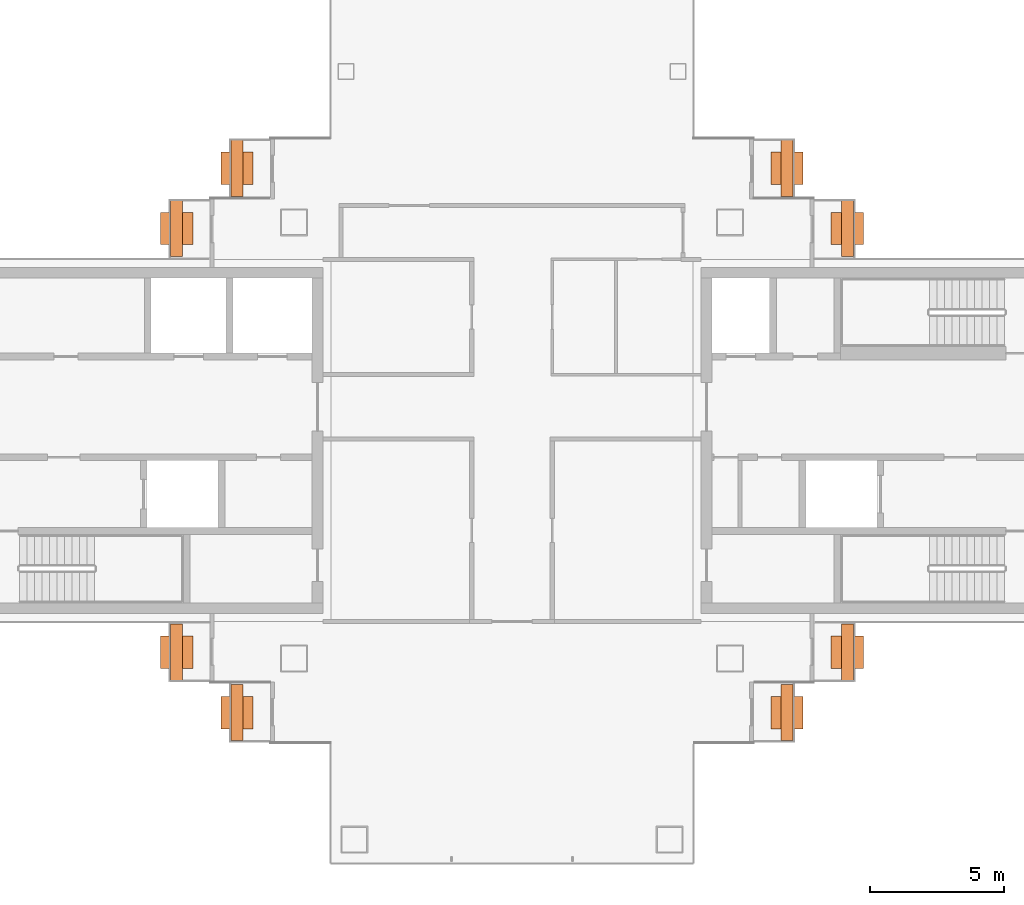
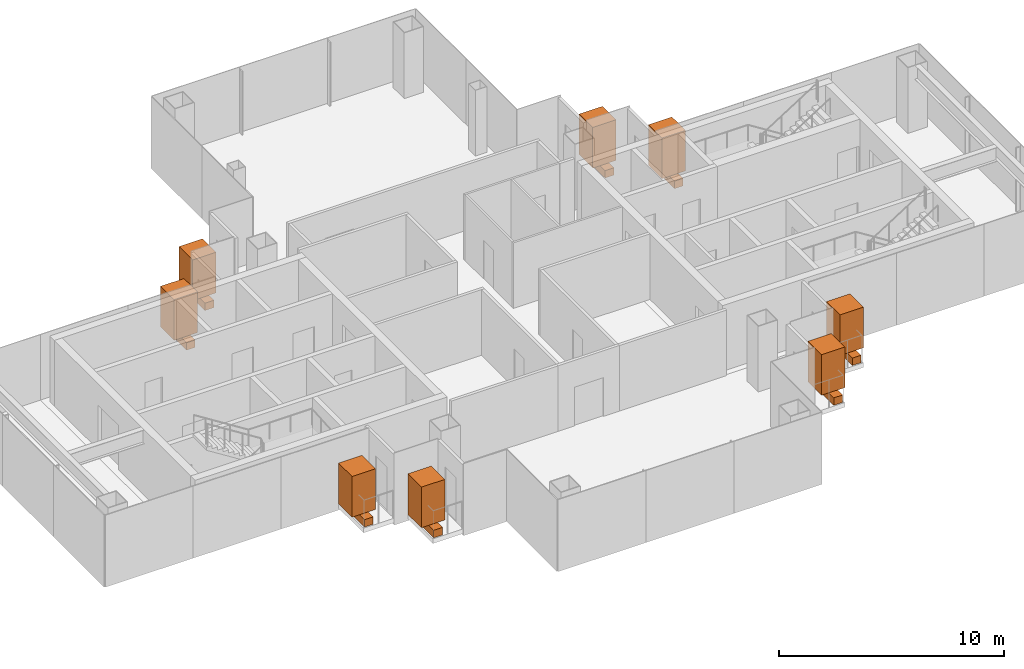
# One storey, part 16 of 16: 8 geographic elements, 8 proxies.
"""IFC4 building model written with IfcOpenShell, lengths in metres."""

import ifcopenshell
import ifcopenshell.guid

model = None  # the IFC model being written
_history = None  # IfcOwnerHistory: only IFC2X3 demands one
_inside = {}  # id of a spatial element -> (the spatial element, [elements in it])
_under = {}  # id of a project, library or spatial element -> (it, [spatial elements below it])
_declared = {}  # id of a project -> (the project, [libraries it declares])
_typed = {}  # id of a type object -> (the type object, [elements of that type])
_made_of = {}  # id of a material, layer set ... -> (it, [elements and type objects made of it])


def new_model(schema):
    """Start an empty IFC model of exactly this schema.

    Asked for "IFC4X3", IfcOpenShell would pick the latest addendum, in which some entities
    have other attributes; the version numbers below select the first issue.
    IFC2X3 requires an IfcOwnerHistory on every rooted entity: one is made here for all.
    """
    global model, _history
    if schema == "IFC4X3":
        model = ifcopenshell.file(schema_version=(4, 3, 0, 0))
    else:
        model = ifcopenshell.file(schema=schema)
    _inside.clear()
    _under.clear()
    _declared.clear()
    _typed.clear()
    _made_of.clear()
    _history = None
    if model.schema == "IFC2X3":
        org = make("IfcOrganization", Name="unknown")
        user = make(
            "IfcPersonAndOrganization",
            ThePerson=make("IfcPerson", FamilyName="unknown"),
            TheOrganization=org,
        )
        app = make(
            "IfcApplication",
            ApplicationDeveloper=org,
            Version="unknown",
            ApplicationFullName="unknown",
            ApplicationIdentifier="unknown",
        )
        _history = make(
            "IfcOwnerHistory",
            OwningUser=user,
            OwningApplication=app,
            ChangeAction="ADDED",
            CreationDate=0,
        )
    return model


def make(cls, **values):
    """One entity of the class cls with the attributes given. An attribute that is None is left unset."""
    return model.create_entity(
        cls, **{name: value for name, value in values.items() if value is not None}
    )


def rooted(cls, **values):
    """An entity with a GlobalId (a new one), such as an element, a storey or a relation."""
    return make(cls, GlobalId=ifcopenshell.guid.new(), OwnerHistory=_history, **values)


def si_unit(unit_type, name, prefix=None):
    """IfcSIUnit, for example si_unit("LENGTHUNIT", "METRE", prefix="MILLI")."""
    return make("IfcSIUnit", UnitType=unit_type, Prefix=prefix, Name=name)


def assignment(units):
    """IfcUnitAssignment: the units of a project."""
    return None if units is None else make("IfcUnitAssignment", Units=units)


def point(xyz):
    """IfcCartesianPoint."""
    return None if xyz is None else make("IfcCartesianPoint", Coordinates=xyz)


def direction(xyz):
    """IfcDirection."""
    return None if xyz is None else make("IfcDirection", DirectionRatios=xyz)


def frame(location, z_axis=None, x_axis=None):
    """IfcAxis2Placement3D, a coordinate frame: its origin and axes. An axis left out is left unset."""
    return make(
        "IfcAxis2Placement3D",
        Location=point(location),
        Axis=direction(z_axis),
        RefDirection=direction(x_axis),
    )


def frame_2d(location, x_axis=None):
    """IfcAxis2Placement2D, a coordinate frame in the plane: its origin and x axis."""
    return make(
        "IfcAxis2Placement2D", Location=point(location), RefDirection=direction(x_axis)
    )


def origin():
    """The frame at (0, 0, 0) with its axes left unset."""
    return frame((0.0, 0.0, 0.0))


def origin_2d():
    """The frame at (0, 0) in the plane with its x axis left unset."""
    return frame_2d((0.0, 0.0))


def place(relative_to, where):
    """IfcLocalPlacement: puts the frame where relative to a parent placement (None: the world)."""
    return make(
        "IfcLocalPlacement", PlacementRelTo=relative_to, RelativePlacement=where
    )


def context(
    kind, dimensions, precision=None, world=None, true_north=None, identifier=None
):
    """IfcGeometricRepresentationContext, for example the 3D "Model" context."""
    return make(
        "IfcGeometricRepresentationContext",
        ContextIdentifier=identifier,
        ContextType=kind,
        CoordinateSpaceDimension=dimensions,
        Precision=precision,
        WorldCoordinateSystem=world,
        TrueNorth=true_north,
    )


def subcontext(parent, identifier, kind, view, scale=None):
    """IfcGeometricRepresentationSubContext, for example "Body" below "Model"."""
    return make(
        "IfcGeometricRepresentationSubContext",
        ContextIdentifier=identifier,
        ContextType=kind,
        ParentContext=parent,
        TargetScale=scale,
        TargetView=view,
    )


def project(units=None, contexts=None):
    """IfcProject with its units and contexts."""
    return rooted(
        "IfcProject",
        Name="project",
        RepresentationContexts=contexts,
        UnitsInContext=assignment(units),
    )


def spatial(cls, under=None, at=None, **own):
    """A site, building, storey or space (cls), placed at a placement, below another one or the project."""
    s = rooted(cls, ObjectPlacement=at, **own)
    if under is not None:
        _under.setdefault(under.id(), (under, []))[1].append(s)
    return s


def profile(cls, at=None, kind="AREA", **sizes):
    """A parametric profile (cls). Its sizes go by their IFC names, for example OverallWidth=200.0."""
    return make(cls, ProfileType=kind, Position=at, **sizes)


def rectangle(**sizes):
    """IfcRectangleProfileDef."""
    return profile("IfcRectangleProfileDef", **sizes)


def extrude(swept, where, along, depth):
    """IfcExtrudedAreaSolid: the profile swept, set in the frame where, extruded along a direction by depth."""
    return make(
        "IfcExtrudedAreaSolid",
        SweptArea=swept,
        Position=where,
        ExtrudedDirection=direction(along),
        Depth=depth,
    )


def shape(context_of_items, identifier, shape_type, items):
    """IfcShapeRepresentation: the items that make up one representation, for example the "Body"."""
    return make(
        "IfcShapeRepresentation",
        ContextOfItems=context_of_items,
        RepresentationIdentifier=identifier,
        RepresentationType=shape_type,
        Items=items,
    )


def material(Name=None, Category=None):
    """IfcMaterial."""
    return make("IfcMaterial", Name=Name, Category=Category)


def made_of(thing, what):
    """Note that an element or type object is made of a material, layer set ...; save() writes the relation."""
    if what is not None:
        _made_of.setdefault(what.id(), (what, []))[1].append(thing)
    return thing


def type_object(cls, material=None, **own):
    """A type object (cls), such as IfcWallType, which elements share."""
    return made_of(rooted(cls, **own), material)


def element(
    cls,
    number,
    at=None,
    inside=None,
    cuts=None,
    type_object=None,
    material=None,
    context=None,
    identifier="Body",
    shape_type=None,
    held_by="IfcProductDefinitionShape",
    body=None,
    shapes=None,
    **own,
):
    """One element of the class cls, such as IfcWall. Its Tag is "e" and its number.

    at: its placement. inside: the storey or other place that contains it. cuts: it is an
    opening in that element (IfcRelVoidsElement). A single representation is given by context,
    identifier, shape_type and body (its items); several are given by shapes. held_by: the class
    of the entity that holds the representations. save() writes the other relations.
    """
    e = rooted(cls, Tag="e%d" % number, ObjectPlacement=at, **own)
    if body is not None:
        shapes = [shape(context, identifier, shape_type, body)]
    if shapes is not None:
        e.Representation = make(held_by, Representations=shapes)
    if inside is not None:
        _inside.setdefault(inside.id(), (inside, []))[1].append(e)
    if cuts is not None:
        rooted(
            "IfcRelVoidsElement", RelatingBuildingElement=cuts, RelatedOpeningElement=e
        )
    if type_object is not None:
        _typed.setdefault(type_object.id(), (type_object, []))[1].append(e)
    return made_of(e, material)


def aggregate(whole, parts):
    """IfcRelAggregates: a whole, such as a stair, and the parts it consists of."""
    return rooted("IfcRelAggregates", RelatingObject=whole, RelatedObjects=parts)


def save(model, path):
    """Write the relations noted so far, then the file.

    IfcRelAggregates (storeys below a building ...), IfcRelContainedInSpatialStructure (elements
    in a storey), IfcRelDefinesByType, IfcRelAssociatesMaterial and IfcRelDeclares: one each for
    every whole, place, type object, material and project.
    """
    for whole, parts in _under.values():
        aggregate(whole, parts)
    for where, things in _inside.values():
        rooted(
            "IfcRelContainedInSpatialStructure",
            RelatedElements=things,
            RelatingStructure=where,
        )
    for kind, things in _typed.values():
        rooted("IfcRelDefinesByType", RelatedObjects=things, RelatingType=kind)
    for what, things in _made_of.values():
        rooted("IfcRelAssociatesMaterial", RelatedObjects=things, RelatingMaterial=what)
    for by, libraries in _declared.values():
        rooted("IfcRelDeclares", RelatingContext=by, RelatedDefinitions=libraries)
    model.write(path)


model = new_model("IFC4")

# Units and contexts
model_context = context("Model", 3, precision=1e-05, world=origin(), true_north=direction((0.0, 1.0)))
body_context = subcontext(model_context, "Body", "Model", "MODEL_VIEW")
ifc_project = project(units=[si_unit("LENGTHUNIT", "METRE"), si_unit("AREAUNIT", "SQUARE_METRE"), si_unit("VOLUMEUNIT", "CUBIC_METRE"), si_unit("PLANEANGLEUNIT", "RADIAN"), si_unit("MASSUNIT", "GRAM", prefix="KILO")], contexts=[model_context])

# Site, building, storey
site_placement = place(None, origin())
site = spatial("IfcSite", under=ifc_project, at=site_placement, CompositionType="ELEMENT")
building_placement = place(site_placement, origin())
building = spatial("IfcBuilding", under=site, at=building_placement, Name="Shamsa Quay Exchange Towers", CompositionType="ELEMENT")
storey_placement = place(building_placement, frame((0.0, 0.0, 210.0)))
storey = spatial("IfcBuildingStorey", under=building, at=storey_placement, Name="L50", CompositionType="ELEMENT", Elevation=210.0)

# Proxies
ifc_material_1 = material(Name="Reinforced concrete C30/37, black glass-fibre faced", Category="concrete")
building_element_proxy_type = type_object("IfcBuildingElementProxyType", Name="BALCONY PLANTER", PredefinedType="USERDEFINED", material=ifc_material_1)
for number, where, z_axis, x_axis, name in (
    (1, (23.5048828125, 10.14404296875, 0.0), (0.0, 0.0, 1.0), (0.0, -1.0, 0.0), "PLANTER T2-PKEN L50"),
    (2, (21.2548828125, 7.89404296875, 0.0), (0.0, 0.0, 1.0), (0.0, -1.0, 0.0), "PLANTER T2-PKEN L50"),
    (3, (43.9951171875, 10.14404296875, 0.0), (0.0, 0.0, 1.0), (0.0, 1.0, 0.0), "PLANTER T2-PKES L50"),
    (4, (46.2451171875, 7.89404296875, 0.0), (0.0, 0.0, 1.0), (0.0, 1.0, 0.0), "PLANTER T2-PKES L50"),
    (5, (21.2548828125, -7.89404296875, 0.0), (0.0, 0.0, 1.0), (0.0, -1.0, 0.0), "PLANTER T2-PKWN L50"),
    (6, (23.5048828125, -10.14404296875, 0.0), (0.0, 0.0, 1.0), (0.0, -1.0, 0.0), "PLANTER T2-PKWN L50"),
    (7, (43.9951171875, -10.14404296875, 0.0), (0.0, 0.0, 1.0), (0.0, 1.0, 0.0), "PLANTER T2-PKWS L50"),
    (8, (46.2451171875, -7.89404296875, 0.0), (0.0, 0.0, 1.0), (0.0, 1.0, 0.0), "PLANTER T2-PKWS L50"),
):
    element("IfcBuildingElementProxy", number, at=place(storey_placement, frame(where, z_axis=z_axis, x_axis=x_axis)), inside=storey, type_object=building_element_proxy_type, Name=name, ObjectType="PLANTER", PredefinedType="USERDEFINED", context=body_context, shape_type="SweptSolid", body=[
        extrude(rectangle(XDim=2.092041015625, YDim=0.449951171875, at=origin_2d()), origin(), (0.0, 0.0, 1.0), 0.39990234375),
    ])

# Geographic elements
ifc_material_2 = material(Name="Planting")
geographic_element_type = type_object("IfcGeographicElementType", Name="BALCONY TREE", PredefinedType="USERDEFINED", material=ifc_material_2)
for number, where, z_axis, x_axis, name in (
    (9, (23.5048828125, 10.14404296875, 0.39990234375), (0.0, 0.0, 1.0), (0.0, -1.0, 0.0), "TREE T2-PKEN L50"),
    (10, (21.2548828125, 7.89404296875, 0.39990234375), (0.0, 0.0, 1.0), (0.0, -1.0, 0.0), "TREE T2-PKEN L50"),
    (11, (43.9951171875, 10.14404296875, 0.39990234375), (0.0, 0.0, 1.0), (0.0, 1.0, 0.0), "TREE T2-PKES L50"),
    (12, (46.2451171875, 7.89404296875, 0.39990234375), (0.0, 0.0, 1.0), (0.0, 1.0, 0.0), "TREE T2-PKES L50"),
    (13, (21.2548828125, -7.89404296875, 0.39990234375), (0.0, 0.0, 1.0), (0.0, -1.0, 0.0), "TREE T2-PKWN L50"),
    (14, (23.5048828125, -10.14404296875, 0.39990234375), (0.0, 0.0, 1.0), (0.0, -1.0, 0.0), "TREE T2-PKWN L50"),
    (15, (43.9951171875, -10.14404296875, 0.39990234375), (0.0, 0.0, 1.0), (0.0, 1.0, 0.0), "TREE T2-PKWS L50"),
    (16, (46.2451171875, -7.89404296875, 0.39990234375), (0.0, 0.0, 1.0), (0.0, 1.0, 0.0), "TREE T2-PKWS L50"),
):
    element("IfcGeographicElement", number, at=place(storey_placement, frame(where, z_axis=z_axis, x_axis=x_axis)), inside=storey, type_object=geographic_element_type, Name=name, ObjectType="TREE", PredefinedType="USERDEFINED", context=body_context, shape_type="SweptSolid", body=[
        extrude(rectangle(XDim=1.199951171875, YDim=1.199951171875, at=origin_2d()), origin(), (0.0, 0.0, 1.0), 2.199951171875),
    ])

save(model, "model.ifc")
